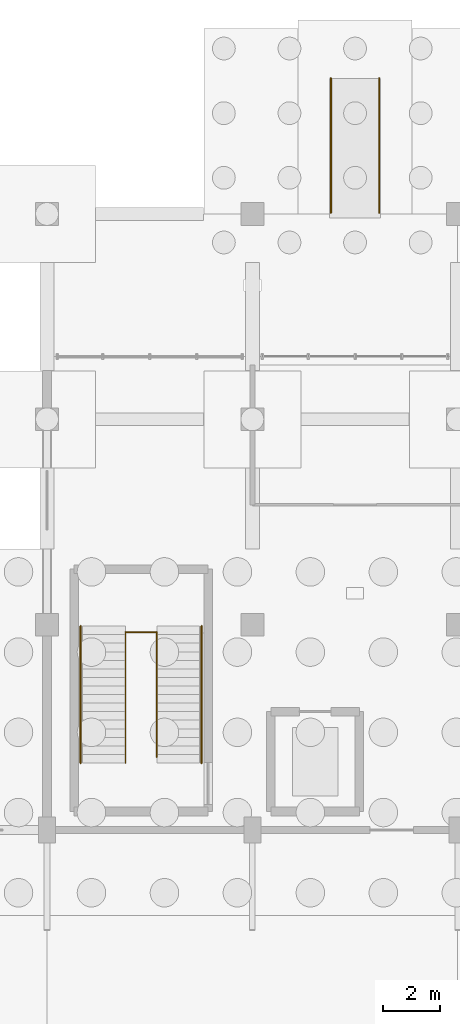
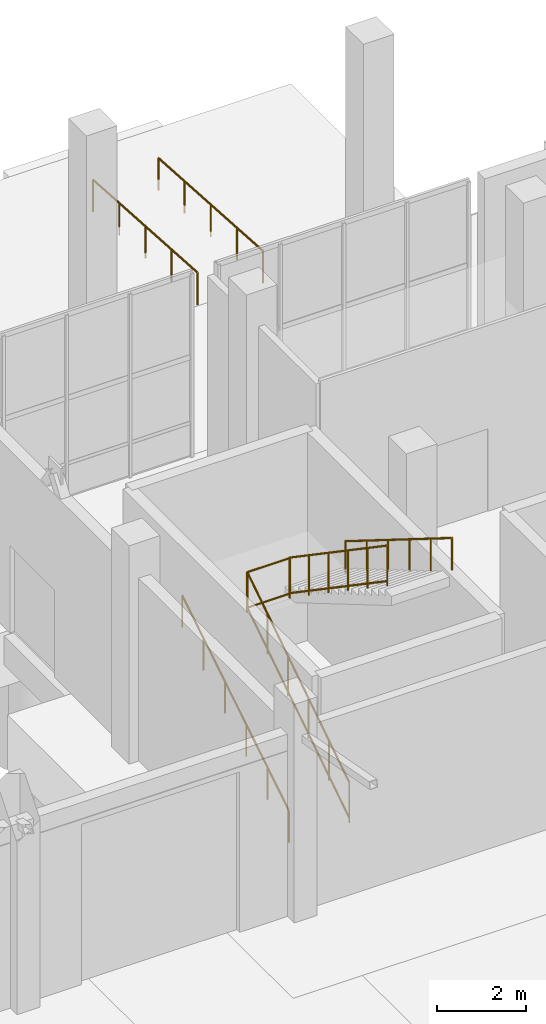
# One storey, part 42 of 45: 7 railings.
"""IFC4 building model written with IfcOpenShell, lengths in metres."""

from ifc_helpers import new_model, si_unit, direction, frame, origin, origin_2d, place, context, subcontext, project, spatial, circle, extrude, material, type_object, element, save


model = new_model("IFC4")

# Units and contexts
model_context = context("Model", 3, precision=1e-05, world=origin(), true_north=direction((0.0, 1.0)))
body_context = subcontext(model_context, "Body", "Model", "MODEL_VIEW")
ifc_project = project(units=[si_unit("LENGTHUNIT", "METRE"), si_unit("AREAUNIT", "SQUARE_METRE"), si_unit("VOLUMEUNIT", "CUBIC_METRE"), si_unit("PLANEANGLEUNIT", "RADIAN"), si_unit("MASSUNIT", "GRAM", prefix="KILO")], contexts=[model_context])

# Site, building, storey
site_placement = place(None, origin())
site = spatial("IfcSite", under=ifc_project, at=site_placement, CompositionType="ELEMENT")
building_placement = place(site_placement, origin())
building = spatial("IfcBuilding", under=site, at=building_placement, Name="Yarey Park Central Fire Station", CompositionType="ELEMENT")
storey_placement = place(building_placement, origin())
storey = spatial("IfcBuildingStorey", under=building, at=storey_placement, Name="L01", CompositionType="ELEMENT", Elevation=0.0)

# Railings
ifc_material_1 = material(Name="Stainless Steel AISI 316L", Category="steel")
railing_type_1 = type_object("IfcRailingType", Name="ENV_RAIL_RAMP", PredefinedType="HANDRAIL", material=ifc_material_1)
for number, where, name in (
    (1, (126.85009765625, 119.949951171875, -0.300048828125), "RAIL_RAMP_03_L"),
    (2, (125.14990234375, 119.949951171875, -0.300048828125), "RAIL_RAMP_03_R"),
):
    element("IfcRailing", number, at=place(storey_placement, frame(where)), inside=storey, type_object=railing_type_1, Name=name, PredefinedType="HANDRAIL", context=body_context, shape_type="SweptSolid", body=[
        extrude(circle(Radius=0.02392578125, at=origin_2d()), frame((0.0, 0.0, 0.8759765625), z_axis=(0.0, -0.997968381633, 0.063711139215), x_axis=(1.0, 0.0, 0.0)), (0.0, 0.0, 1.0), 4.70947265625),
        extrude(circle(Radius=0.02099609375, at=origin_2d()), origin(), (0.0, 0.0, 1.0), 0.851806640625),
        extrude(circle(Radius=0.02099609375, at=origin_2d()), frame((0.0, -1.175048828125, 0.074951171875)), (0.0, 0.0, 1.0), 0.851806640625),
        extrude(circle(Radius=0.02099609375, at=origin_2d()), frame((0.0, -2.35009765625, 0.14990234375)), (0.0, 0.0, 1.0), 0.851806640625),
        extrude(circle(Radius=0.02099609375, at=origin_2d()), frame((0.0, -3.52490234375, 0.22509765625)), (0.0, 0.0, 1.0), 0.851806640625),
        extrude(circle(Radius=0.02099609375, at=origin_2d()), frame((0.0, -4.699951171875, 0.300048828125)), (0.0, 0.0, 1.0), 0.851806640625),
    ])
ifc_material_2 = material(Name="Galvanized Steel Balustrade", Category="steel")
railing_type_2 = type_object("IfcRailingType", Name="INT_RAIL_GUARD112", PredefinedType="BALUSTRADE", material=ifc_material_2)
railing_1_placement = place(storey_placement, frame((117.949951171875, 95.949951171875, 0.0)))
element("IfcRailing", 3, at=railing_1_placement, inside=storey, type_object=railing_type_2, Name="GRD_C1_L01_F1", PredefinedType="BALUSTRADE", context=body_context, shape_type="SweptSolid", body=[
    extrude(circle(Radius=0.02392578125, at=origin_2d()), frame((0.0, 0.0, 1.09619140625), z_axis=(0.0, 0.837615903066, 0.546259644245), x_axis=(-1.0, 0.0, 0.0)), (0.0, 0.0, 1.0), 5.491943359375),
    extrude(circle(Radius=0.02392578125, at=origin_2d()), frame((0.0, 0.0, 0.1201171875), z_axis=(0.0, 0.837615903066, 0.546259644245), x_axis=(-1.0, 0.0, 0.0)), (0.0, 0.0, 1.0), 5.491943359375),
    extrude(circle(Radius=0.02099609375, at=origin_2d()), origin(), (0.0, 0.0, 1.0), 1.072021484375),
    extrude(circle(Radius=0.02099609375, at=origin_2d()), frame((0.0, 0.919921875, 0.60009765625)), (0.0, 0.0, 1.0), 1.072021484375),
    extrude(circle(Radius=0.02099609375, at=origin_2d()), frame((0.0, 1.840087890625, 1.199951171875)), (0.0, 0.0, 1.0), 1.072021484375),
    extrude(circle(Radius=0.02099609375, at=origin_2d()), frame((0.0, 2.760009765625, 1.800048828125)), (0.0, 0.0, 1.0), 1.072021484375),
    extrude(circle(Radius=0.02099609375, at=origin_2d()), frame((0.0, 3.68017578125, 2.39990234375)), (0.0, 0.0, 1.0), 1.072021484375),
    extrude(circle(Radius=0.02099609375, at=origin_2d()), frame((0.0, 4.60009765625, 3.0)), (0.0, 0.0, 1.0), 1.072021484375),
])
railing_2_placement = place(storey_placement, frame((119.050048828125, 100.550048828125, 3.0)))
element("IfcRailing", 4, at=railing_2_placement, inside=storey, type_object=railing_type_2, Name="GRD_C1_L01_F2", PredefinedType="BALUSTRADE", context=body_context, shape_type="SweptSolid", body=[
    extrude(circle(Radius=0.02392578125, at=origin_2d()), frame((0.0, 0.0, 1.09619140625), z_axis=(0.0, -0.826236071711, 0.563324022037), x_axis=(1.0, 0.0, 0.0)), (0.0, 0.0, 1.0), 5.325439453125),
    extrude(circle(Radius=0.02392578125, at=origin_2d()), frame((0.0, 0.0, 0.1201171875), z_axis=(0.0, -0.826236071711, 0.563324022037), x_axis=(1.0, 0.0, 0.0)), (0.0, 0.0, 1.0), 5.325439453125),
    extrude(circle(Radius=0.02099609375, at=origin_2d()), origin(), (0.0, 0.0, 1.0), 1.072021484375),
    extrude(circle(Radius=0.02099609375, at=origin_2d()), frame((0.0, -0.880126953125, 0.60009765625)), (0.0, 0.0, 1.0), 1.072021484375),
    extrude(circle(Radius=0.02099609375, at=origin_2d()), frame((0.0, -1.760009765625, 1.199951171875)), (0.0, 0.0, 1.0), 1.072021484375),
    extrude(circle(Radius=0.02099609375, at=origin_2d()), frame((0.0, -2.64013671875, 1.800048828125)), (0.0, 0.0, 1.0), 1.072021484375),
    extrude(circle(Radius=0.02099609375, at=origin_2d()), frame((0.0, -3.52001953125, 2.39990234375)), (0.0, 0.0, 1.0), 1.072021484375),
    extrude(circle(Radius=0.02099609375, at=origin_2d()), frame((0.0, -4.400146484375, 3.0)), (0.0, 0.0, 1.0), 1.072021484375),
])
railing_3_placement = place(storey_placement, frame((117.949951171875, 100.530029296875, 3.0)))
element("IfcRailing", 5, at=railing_3_placement, inside=storey, type_object=railing_type_2, Name="GRD_C1_L01_SLOT_MID", PredefinedType="BALUSTRADE", context=body_context, shape_type="SweptSolid", body=[
    extrude(circle(Radius=0.02392578125, at=origin_2d()), frame((0.0, 0.0, 1.09619140625), z_axis=(1.0, 0.0, 0.0), x_axis=(0.0, 1.0, 0.0)), (0.0, 0.0, 1.0), 1.10009765625),
    extrude(circle(Radius=0.02392578125, at=origin_2d()), frame((0.0, 0.0, 0.1201171875), z_axis=(1.0, 0.0, 0.0), x_axis=(0.0, 1.0, 0.0)), (0.0, 0.0, 1.0), 1.10009765625),
    extrude(circle(Radius=0.02099609375, at=origin_2d()), origin(), (0.0, 0.0, 1.0), 1.072021484375),
    extrude(circle(Radius=0.02099609375, at=origin_2d()), frame((1.10009765625, 0.0, 0.0)), (0.0, 0.0, 1.0), 1.072021484375),
])
railing_type_3 = type_object("IfcRailingType", Name="INT_RAIL_HAND090", PredefinedType="HANDRAIL", material=ifc_material_1)
railing_4_placement = place(storey_placement, frame((116.3798828125, 95.949951171875, 0.0)))
element("IfcRailing", 6, at=railing_4_placement, inside=storey, type_object=railing_type_3, Name="HR_C1_L01_F1", PredefinedType="HANDRAIL", context=body_context, shape_type="SweptSolid", body=[
    extrude(circle(Radius=0.02392578125, at=origin_2d()), frame((0.0, 0.0, 0.8759765625), z_axis=(0.0, 0.848000727092, 0.529995063044), x_axis=(-1.0, 0.0, 0.0)), (0.0, 0.0, 1.0), 5.660400390625),
    extrude(circle(Radius=0.02099609375, at=origin_2d()), origin(), (0.0, 0.0, 1.0), 0.851806640625),
    extrude(circle(Radius=0.02099609375, at=origin_2d()), frame((0.0, 0.9599609375, 0.60009765625)), (0.0, 0.0, 1.0), 0.851806640625),
    extrude(circle(Radius=0.02099609375, at=origin_2d()), frame((0.0, 1.919921875, 1.199951171875)), (0.0, 0.0, 1.0), 0.851806640625),
    extrude(circle(Radius=0.02099609375, at=origin_2d()), frame((0.0, 2.880126953125, 1.800048828125)), (0.0, 0.0, 1.0), 0.851806640625),
    extrude(circle(Radius=0.02099609375, at=origin_2d()), frame((0.0, 3.840087890625, 2.39990234375)), (0.0, 0.0, 1.0), 0.851806640625),
    extrude(circle(Radius=0.02099609375, at=origin_2d()), frame((0.0, 4.800048828125, 3.0)), (0.0, 0.0, 1.0), 0.851806640625),
])
railing_5_placement = place(storey_placement, frame((120.6201171875, 100.75, 3.0)))
element("IfcRailing", 7, at=railing_5_placement, inside=storey, type_object=railing_type_3, Name="HR_C1_L01_F2", PredefinedType="HANDRAIL", context=body_context, shape_type="SweptSolid", body=[
    extrude(circle(Radius=0.02392578125, at=origin_2d()), frame((0.0, 0.0, 0.8759765625), z_axis=(0.0, -0.848000727092, 0.529995063044), x_axis=(1.0, 0.0, 0.0)), (0.0, 0.0, 1.0), 5.660400390625),
    extrude(circle(Radius=0.02099609375, at=origin_2d()), origin(), (0.0, 0.0, 1.0), 0.851806640625),
    extrude(circle(Radius=0.02099609375, at=origin_2d()), frame((0.0, -0.9599609375, 0.60009765625)), (0.0, 0.0, 1.0), 0.851806640625),
    extrude(circle(Radius=0.02099609375, at=origin_2d()), frame((0.0, -1.919921875, 1.199951171875)), (0.0, 0.0, 1.0), 0.851806640625),
    extrude(circle(Radius=0.02099609375, at=origin_2d()), frame((0.0, -2.880126953125, 1.800048828125)), (0.0, 0.0, 1.0), 0.851806640625),
    extrude(circle(Radius=0.02099609375, at=origin_2d()), frame((0.0, -3.840087890625, 2.39990234375)), (0.0, 0.0, 1.0), 0.851806640625),
    extrude(circle(Radius=0.02099609375, at=origin_2d()), frame((0.0, -4.800048828125, 3.0)), (0.0, 0.0, 1.0), 0.851806640625),
])

save(model, "model.ifc")
